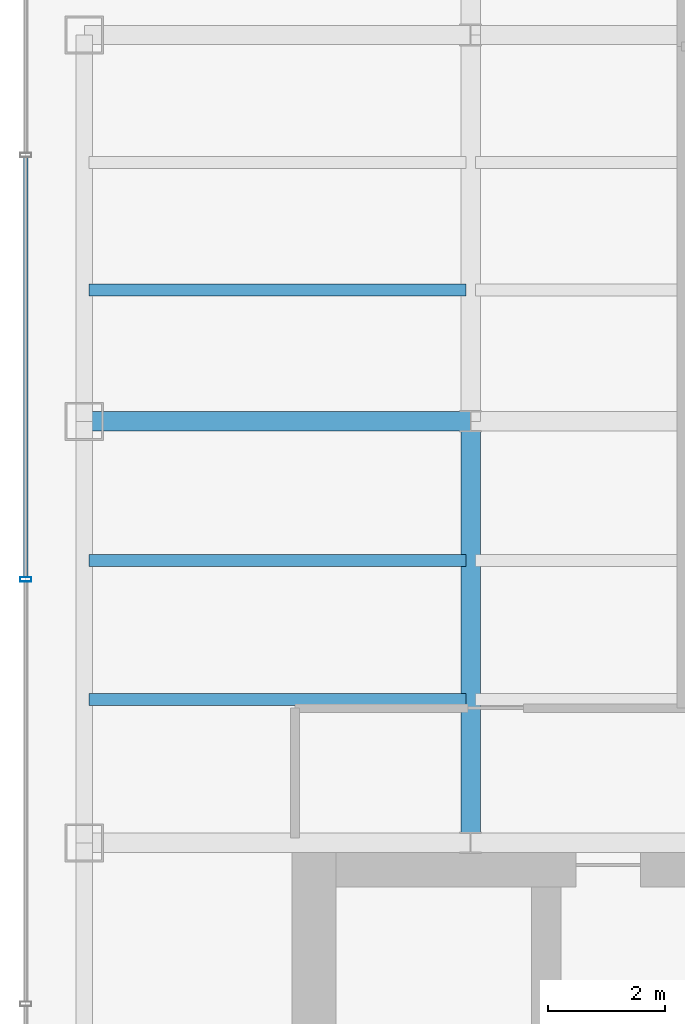
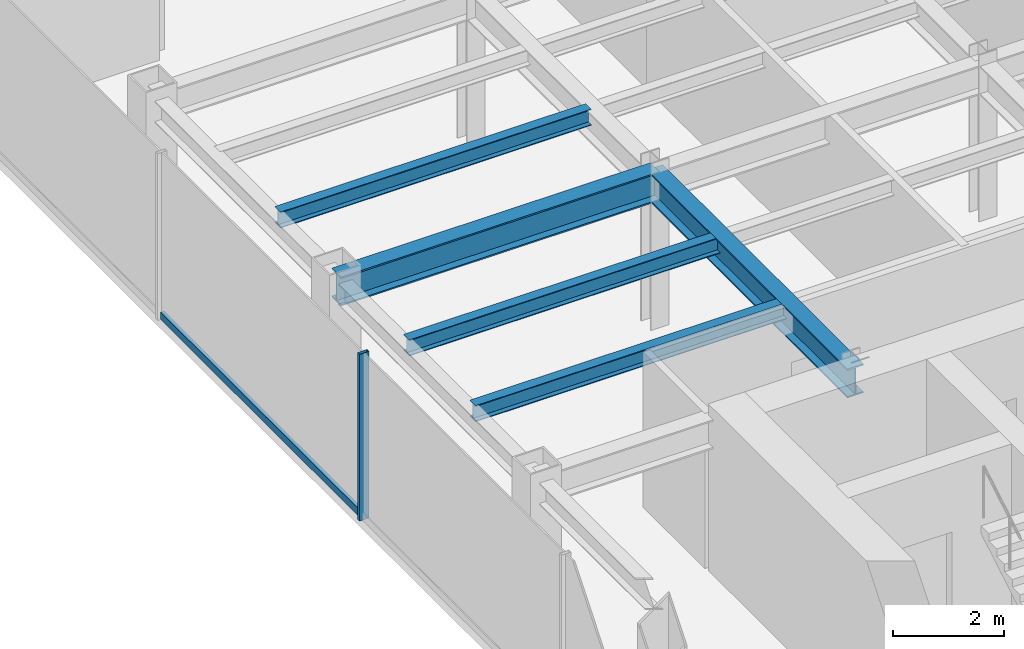
# One storey, part 5 of 25: 5 beams, 2 members, 1 element without a shape of its own.
"""IFC4 building model written with IfcOpenShell, lengths in metres."""

from ifc_helpers import new_model, si_unit, derived_unit, direction, frame, origin, origin_2d, place, context, subcontext, project, spatial, hollow_rectangle, i_section, extrude, source, transform, mapped, material, material_profile, profile_set, type_object, element, aggregate, save


model = new_model("IFC4")

# Units and contexts
model_context = context("Model", 3, precision=1e-05, world=origin(), true_north=direction((0.0, 1.0)))
body_context = subcontext(model_context, "Body", "Model", "MODEL_VIEW")
ifc_project = project(units=[si_unit("LENGTHUNIT", "METRE"), si_unit("AREAUNIT", "SQUARE_METRE"), si_unit("VOLUMEUNIT", "CUBIC_METRE"), si_unit("PLANEANGLEUNIT", "RADIAN"), si_unit("MASSUNIT", "GRAM", prefix="KILO"), derived_unit("THERMALTRANSMITTANCEUNIT", [(si_unit("POWERUNIT", "WATT"), 1), (si_unit("LENGTHUNIT", "METRE"), -2), (si_unit("THERMODYNAMICTEMPERATUREUNIT", "KELVIN"), -1)])], contexts=[model_context])

# Site, building, storey
site_placement = place(None, origin())
site = spatial("IfcSite", under=ifc_project, at=site_placement, CompositionType="ELEMENT")
building_placement = place(site_placement, origin())
building = spatial("IfcBuilding", under=site, at=building_placement, Name="Skarnbrae Concourse Arena and Tower", CompositionType="ELEMENT")
storey_placement = place(building_placement, frame((0.0, 0.0, 158.85009765625)))
storey = spatial("IfcBuildingStorey", under=building, at=storey_placement, Name="L40", CompositionType="ELEMENT", Elevation=158.85009765625)

# Beams
ifc_material_1 = material(Name="Steel CSA G40.21 350W", Category="steel")
ifc_material_profile_1 = material_profile(ifc_material_1, i_section(OverallWidth=0.3291015625, OverallDepth=0.635009765625, WebThickness=0.017822265625, FlangeThickness=0.031005859375, at=origin_2d()), Name="W610X241")
ifc_profile_set_1 = profile_set([ifc_material_profile_1], Name="Steel CSA G40.21 350W")
beam_type_1 = type_object("IfcBeamType", Name="BM-GIRD-W610X241", PredefinedType="BEAM", material=ifc_profile_set_1)
shared_shape_1 = source(origin(), body_context, "Body", "SweptSolid", [
    extrude(i_section(OverallWidth=0.3291015625, OverallDepth=0.635009765625, WebThickness=0.017822265625, FlangeThickness=0.031005859375, at=origin_2d()), origin(), (0.0, 0.0, 1.0), 6.60009765625),
])
beam_1_placement = place(storey_placement, frame((1.0, 21.199951171875, 3.08251953125), z_axis=(1.0, 0.0, 0.0), x_axis=(0.0, 1.0, 0.0)))
element("IfcBeam", 1, at=beam_1_placement, inside=storey, type_object=beam_type_1, Name="L40 Primary E-W girder Y21.2-1", PredefinedType="BEAM", context=body_context, shape_type="MappedRepresentation", body=[
    mapped(shared_shape_1, transform((0.0, 0.0, 0.0))),
])
shared_shape_2 = source(origin(), body_context, "Body", "SweptSolid", [
    extrude(i_section(OverallWidth=0.3291015625, OverallDepth=0.635009765625, WebThickness=0.017822265625, FlangeThickness=0.031005859375, at=origin_2d()), origin(), (0.0, 0.0, 1.0), 7.199951171875),
])
beam_2_placement = place(storey_placement, frame((7.60009765625, 14.0, 3.08251953125), z_axis=(0.0, 1.0, 0.0), x_axis=(-1.0, 0.0, 0.0)))
element("IfcBeam", 2, at=beam_2_placement, inside=storey, type_object=beam_type_1, Name="L40 Primary N-S girder X7.6-1", PredefinedType="BEAM", context=body_context, shape_type="MappedRepresentation", body=[
    mapped(shared_shape_2, transform((0.0, 0.0, 0.0))),
])
ifc_material_profile_2 = material_profile(ifc_material_1, i_section(OverallWidth=0.205078125, OverallDepth=0.35400390625, WebThickness=0.009521484375, FlangeThickness=0.016845703125, at=origin_2d()), Name="W360X79")
ifc_profile_set_2 = profile_set([ifc_material_profile_2], Name="Steel CSA G40.21 350W")
beam_type_2 = type_object("IfcBeamType", Name="BM-JOIST-W360X79", PredefinedType="JOIST", material=ifc_profile_set_2)
shared_shape_3 = source(origin(), body_context, "Body", "SweptSolid", [
    extrude(i_section(OverallWidth=0.205078125, OverallDepth=0.35400390625, WebThickness=0.009521484375, FlangeThickness=0.016845703125, at=origin_2d()), origin(), (0.0, 0.0, 1.0), 6.43994140625),
])
for number, where, z_axis, x_axis, name in (
    (3, (1.080078125, 16.447998046875, 3.222900390625), (1.0, 0.0, 0.0), (0.0, 1.0, 0.0), "L40 Secondary floor joist 1.1.1"),
    (4, (1.080078125, 18.823974609375, 3.222900390625), (1.0, 0.0, 0.0), (0.0, 1.0, 0.0), "L40 Secondary floor joist 1.2.1"),
    (5, (1.080078125, 23.444091796875, 3.222900390625), (1.0, 0.0, 0.0), (0.0, 1.0, 0.0), "L40 Secondary floor joist 2.1.1"),
):
    element("IfcBeam", number, at=place(storey_placement, frame(where, z_axis=z_axis, x_axis=x_axis)), inside=storey, type_object=beam_type_2, Name=name, PredefinedType="JOIST", context=body_context, shape_type="MappedRepresentation", body=[
        mapped(shared_shape_3, transform((0.0, 0.0, 0.0))),
    ])

# Curtain wall, members
ifc_material_2 = material(Name="Bronze anodised aluminium 6063-T6", Category="aluminium")
curtain_wall_type = type_object("IfcCurtainWallType", Name="CW-SYS-04-MIDZONE", PredefinedType="USERDEFINED", material=ifc_material_2)
curtain_wall_placement = place(storey_placement, origin())
curtain_wall = element("IfcCurtainWall", 6, at=curtain_wall_placement, inside=storey, type_object=curtain_wall_type, Name="L40 Unitised curtain wall CW-L40-E18", ObjectType="UNITISED CURTAIN WALL", PredefinedType="USERDEFINED")
ifc_material_profile_3 = material_profile(ifc_material_2, hollow_rectangle(XDim=0.074951171875, YDim=0.195068359375, WallThickness=0.00439453125, at=origin_2d()), Name="ALU-MULL-75X195")
ifc_profile_set_3 = profile_set([ifc_material_profile_3], Name="Bronze anodised aluminium 6063-T6")
member_type_1 = type_object("IfcMemberType", Name="CWM-CW-04", PredefinedType="MULLION", material=ifc_profile_set_3)
shared_shape_4 = source(origin(), body_context, "Body", "SweptSolid", [
    extrude(hollow_rectangle(XDim=0.074951171875, YDim=0.195068359375, WallThickness=0.00439453125, at=origin_2d()), origin(), (0.0, 0.0, 1.0), 3.64990234375),
])
member_1_placement = place(storey_placement, frame((0.0, 18.5, 0.0), z_axis=(0.0, 0.0, 1.0), x_axis=(0.0, -1.0, 0.0)))
member_1 = element("IfcMember", 7, at=member_1_placement, type_object=member_type_1, Name="CW-L40-E18 Mullion 3", PredefinedType="MULLION", context=body_context, shape_type="MappedRepresentation", body=[
    mapped(shared_shape_4, transform((0.0, 0.0, 0.0))),
])
ifc_material_profile_4 = material_profile(ifc_material_2, hollow_rectangle(XDim=0.074951171875, YDim=0.159912109375, WallThickness=0.00439453125, at=origin_2d()), Name="ALU-TRAN-75X160")
ifc_profile_set_4 = profile_set([ifc_material_profile_4], Name="Bronze anodised aluminium 6063-T6")
member_type_2 = type_object("IfcMemberType", Name="CWT-CW-04", PredefinedType="USERDEFINED", material=ifc_profile_set_4)
shared_shape_5 = source(origin(), body_context, "Body", "SweptSolid", [
    extrude(hollow_rectangle(XDim=0.074951171875, YDim=0.159912109375, WallThickness=0.00439453125, at=origin_2d()), origin(), (0.0, 0.0, 1.0), 7.1748046875),
])
member_2_placement = place(storey_placement, frame((0.0, 25.71240234375, 0.079833984375), z_axis=(0.0, -1.0, 0.0), x_axis=(1.0, 0.0, 0.0)))
member_2 = element("IfcMember", 8, at=member_2_placement, type_object=member_type_2, Name="CW-L40-E18 Transom 2", ObjectType="TRANSOM", PredefinedType="USERDEFINED", context=body_context, shape_type="MappedRepresentation", body=[
    mapped(shared_shape_5, transform((0.0, 0.0, 0.0))),
])
aggregate(curtain_wall, [member_1, member_2])

save(model, "model.ifc")
